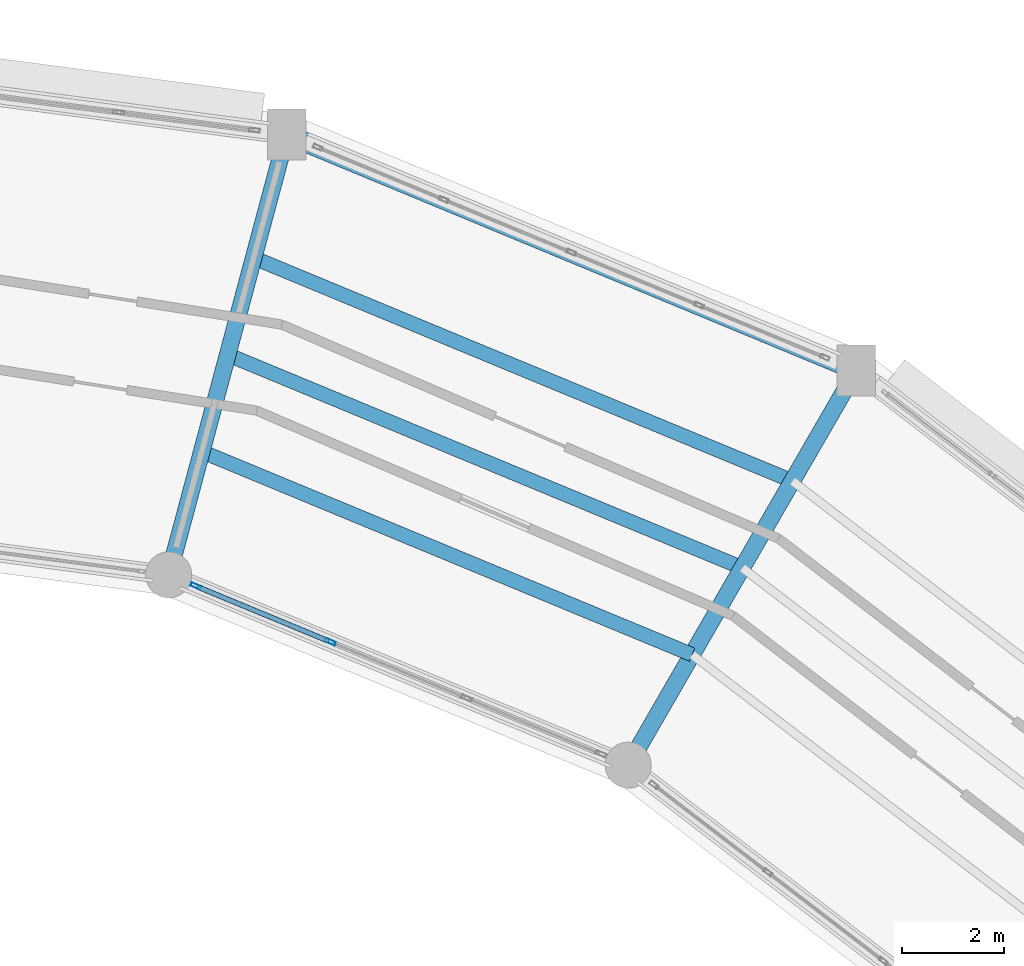
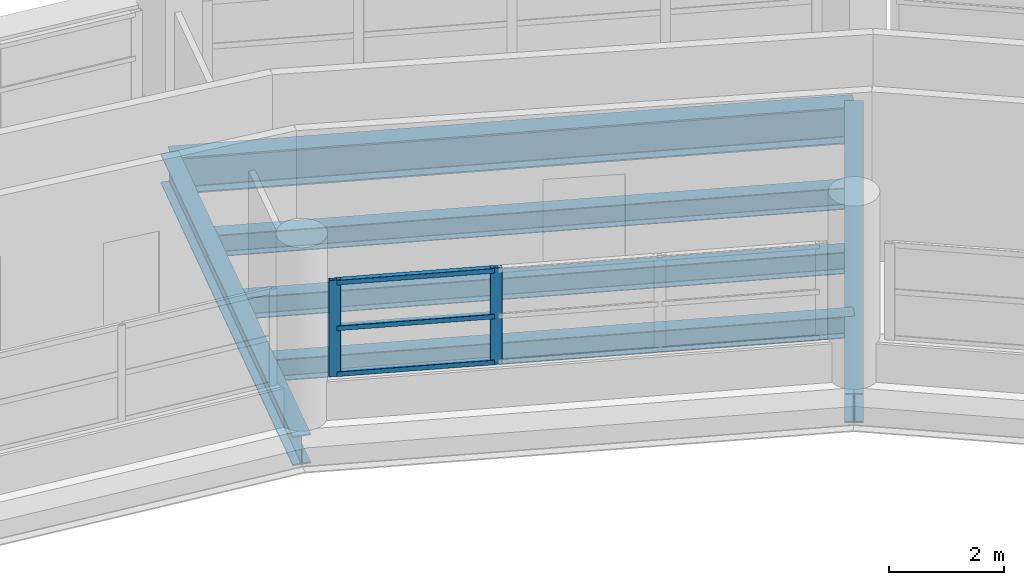
# One storey, part 77 of 108: 6 beams, 5 members, 1 element without a shape of its own.
"""IFC4 building model written with IfcOpenShell, lengths in metres."""

from ifc_helpers import new_model, si_unit, direction, frame, origin, origin_2d, place, context, subcontext, project, spatial, hollow_rectangle, i_section, extrude, material, layer, layer_set, material_profile, profile_set, type_object, element, aggregate, save


model = new_model("IFC4")

# Units and contexts
model_context = context("Model", 3, precision=1e-05, world=origin(), true_north=direction((0.0, 1.0)))
body_context = subcontext(model_context, "Body", "Model", "MODEL_VIEW")
ifc_project = project(units=[si_unit("LENGTHUNIT", "METRE"), si_unit("AREAUNIT", "SQUARE_METRE"), si_unit("VOLUMEUNIT", "CUBIC_METRE"), si_unit("PLANEANGLEUNIT", "RADIAN"), si_unit("MASSUNIT", "GRAM", prefix="KILO")], contexts=[model_context])

# Site, building, storey
site_placement = place(None, origin())
site = spatial("IfcSite", under=ifc_project, at=site_placement, CompositionType="ELEMENT")
building_placement = place(site_placement, origin())
building = spatial("IfcBuilding", under=site, at=building_placement, Name="Vespera Passage Community Centre", CompositionType="ELEMENT")
storey_placement = place(building_placement, frame((0.0, 0.0, 12.60009765625)))
storey = spatial("IfcBuildingStorey", under=building, at=storey_placement, Name="L03", CompositionType="ELEMENT", Elevation=12.60009765625)

# Beams
ifc_material_1 = material(Name="Steel ASTM A992 Grade 50", Category="steel")
ifc_material_profile_1 = material_profile(ifc_material_1, i_section(OverallWidth=0.32763671875, OverallDepth=0.62841796875, WebThickness=0.0166015625, FlangeThickness=0.027587890625, FilletRadius=0.0126953125, at=origin_2d()), Name="W24X146")
ifc_profile_set_1 = profile_set([ifc_material_profile_1], Name="Steel ASTM A992 Grade 50")
beam_type_1 = type_object("IfcBeamType", Name="BM-G-W24X146", PredefinedType="BEAM", material=ifc_profile_set_1)
for number, where, z_axis, x_axis, name in (
    (1, (96.60009765625, 97.716064453125, -0.71435546875), (0.499989191739, 0.866031643847, 0.0), (-0.866031643847, 0.499989191739, 0.0), "V4 L03 Radial Girder 4"),
    (2, (87.628173828125, 101.432373046875, -0.71435546875), (0.258811497245, 0.9659278487, 0.0), (-0.9659278487, 0.258811497245, 0.0), "V4 L03 Radial Girder 5"),
):
    element("IfcBeam", number, at=place(storey_placement, frame(where, z_axis=z_axis, x_axis=x_axis)), inside=storey, type_object=beam_type_1, Name=name, PredefinedType="BEAM", context=body_context, shape_type="SweptSolid", body=[
        extrude(i_section(OverallWidth=0.32763671875, OverallDepth=0.62841796875, WebThickness=0.0166015625, FlangeThickness=0.027587890625, FilletRadius=0.0126953125, at=origin_2d()), origin(), (0.0, 0.0, 1.0), 8.900146484375),
    ])
ifc_material_2 = material(Name="Steel ASTM A992 Grade 50", Category="steel")
ifc_material_profile_2 = material_profile(ifc_material_2, i_section(OverallWidth=0.280517578125, OverallDepth=0.46240234375, WebThickness=0.0107421875, FlangeThickness=0.017333984375, FilletRadius=0.01025390625, at=origin_2d()), Name="W18X76")
ifc_profile_set_2 = profile_set([ifc_material_profile_2], Name="Steel ASTM A992 Grade 50")
beam_type_2 = type_object("IfcBeamType", Name="BM-J-W18X76", PredefinedType="JOIST", material=ifc_profile_set_2)
beam_1_placement = place(storey_placement, frame((97.845947265625, 99.874267578125, -0.63134765625), z_axis=(-0.923873815861, 0.382697233288, 0.0), x_axis=(-0.382697233288, -0.923873815861, 0.0)))
element("IfcBeam", 3, at=beam_1_placement, inside=storey, type_object=beam_type_2, Name="V4 L03 Floor Joist 4.1", PredefinedType="JOIST", context=body_context, shape_type="SweptSolid", body=[
    extrude(i_section(OverallWidth=0.280517578125, OverallDepth=0.46240234375, WebThickness=0.0107421875, FlangeThickness=0.017333984375, FilletRadius=0.01025390625, at=origin_2d()), origin(), (0.0, 0.0, 1.0), 10.361572265625),
])
beam_2_placement = place(storey_placement, frame((98.824951171875, 101.570068359375, -0.63134765625), z_axis=(-0.923886018589, 0.382667773212, 0.0), x_axis=(-0.382667773212, -0.923886018589, 0.0)))
element("IfcBeam", 4, at=beam_2_placement, inside=storey, type_object=beam_type_2, Name="V4 L03 Floor Joist 4.2", PredefinedType="JOIST", context=body_context, shape_type="SweptSolid", body=[
    extrude(i_section(OverallWidth=0.280517578125, OverallDepth=0.46240234375, WebThickness=0.0107421875, FlangeThickness=0.017333984375, FilletRadius=0.01025390625, at=origin_2d()), origin(), (0.0, 0.0, 1.0), 10.872802734375),
])
beam_3_placement = place(storey_placement, frame((99.803955078125, 103.265625, -0.63134765625), z_axis=(-0.923878820173, 0.382685152097, 0.0), x_axis=(-0.382685152097, -0.923878820173, 0.0)))
element("IfcBeam", 5, at=beam_3_placement, inside=storey, type_object=beam_type_2, Name="V4 L03 Floor Joist 4.3", PredefinedType="JOIST", context=body_context, shape_type="SweptSolid", body=[
    extrude(i_section(OverallWidth=0.280517578125, OverallDepth=0.46240234375, WebThickness=0.0107421875, FlangeThickness=0.017333984375, FilletRadius=0.01025390625, at=origin_2d()), origin(), (0.0, 0.0, 1.0), 11.3837890625),
])
ifc_material_3 = material(Name="Steel ASTM A992 Grade 50", Category="steel")
ifc_material_profile_3 = material_profile(ifc_material_3, i_section(OverallWidth=0.382080078125, OverallDepth=0.779296875, WebThickness=0.01806640625, FlangeThickness=0.030029296875, FilletRadius=0.0166015625, at=origin_2d()), Name="W30X191")
ifc_profile_set_3 = profile_set([ifc_material_profile_3], Name="Steel ASTM A992 Grade 50")
beam_type_3 = type_object("IfcBeamType", Name="BM-SP-W30X191E", PredefinedType="SPANDREL", material=ifc_profile_set_3)
beam_4_placement = place(storey_placement, frame((101.050048828125, 105.423828125, -0.789794921875), z_axis=(-0.923877379647, 0.382688629799, 0.0), x_axis=(-0.382688629799, -0.923877379647, 0.0)))
element("IfcBeam", 6, at=beam_4_placement, inside=storey, type_object=beam_type_3, Name="V4 L03 Outer Spandrel 4", PredefinedType="SPANDREL", context=body_context, shape_type="SweptSolid", body=[
    extrude(i_section(OverallWidth=0.382080078125, OverallDepth=0.779296875, WebThickness=0.01806640625, FlangeThickness=0.030029296875, FilletRadius=0.0166015625, at=origin_2d()), origin(), (0.0, 0.0, 1.0), 12.034423828125),
])

# Curtain wall, members
ifc_material_4 = material(Name="Anodized aluminium 6063-T6", Category="aluminium")
ifc_layer = layer(ifc_material_4, 0.159912109375)
ifc_layer_set = layer_set([ifc_layer], Name="Anodized aluminium 6063-T6")
curtain_wall_type = type_object("IfcCurtainWallType", Name="CW-40E", PredefinedType="NOTDEFINED", material=ifc_layer_set)
curtain_wall_placement = place(storey_placement, origin())
curtain_wall = element("IfcCurtainWall", 7, at=curtain_wall_placement, inside=storey, type_object=curtain_wall_type, Name="V4 L03 Inner Court Curtain Wall 4", PredefinedType="NOTDEFINED")
ifc_material_5 = material(Name="Anodized aluminium 6063-T6", Category="aluminium")
ifc_material_profile_4 = material_profile(ifc_material_5, hollow_rectangle(XDim=0.074951171875, YDim=0.2099609375, WallThickness=0.0048828125, InnerFilletRadius=0.00244140625, OuterFilletRadius=0.0048828125, at=origin_2d()), Name="ALU210X75X5")
ifc_profile_set_4 = profile_set([ifc_material_profile_4], Name="Anodized aluminium 6063-T6")
member_type_1 = type_object("IfcMemberType", Name="MB-CWM-210E", PredefinedType="MULLION", material=ifc_profile_set_4)
member_1_placement = place(storey_placement, frame((90.784912109375, 100.124755859375, 0.81982421875), z_axis=(0.0, 0.0, 1.0), x_axis=(-0.382690463482, -0.923876620096, 0.0)))
member_1 = element("IfcMember", 8, at=member_1_placement, type_object=member_type_1, Name="CW-40E mullion 3", PredefinedType="MULLION", context=body_context, shape_type="SweptSolid", body=[
    extrude(hollow_rectangle(XDim=0.074951171875, YDim=0.2099609375, WallThickness=0.0048828125, InnerFilletRadius=0.00244140625, OuterFilletRadius=0.0048828125, at=origin_2d()), origin(), (0.0, 0.0, 1.0), 2.049560546875),
])
member_2_placement = place(storey_placement, frame((88.161376953125, 101.211669921875, 0.81982421875), z_axis=(0.0, 0.0, 1.0), x_axis=(-0.382690463482, -0.923876620096, 0.0)))
member_2 = element("IfcMember", 9, at=member_2_placement, type_object=member_type_1, Name="CW-40E mullion 4", PredefinedType="MULLION", context=body_context, shape_type="SweptSolid", body=[
    extrude(hollow_rectangle(XDim=0.074951171875, YDim=0.2099609375, WallThickness=0.0048828125, InnerFilletRadius=0.00244140625, OuterFilletRadius=0.0048828125, at=origin_2d()), origin(), (0.0, 0.0, 1.0), 2.049560546875),
])
ifc_material_6 = material(Name="Anodized aluminium 6063-T6", Category="aluminium")
ifc_material_profile_5 = material_profile(ifc_material_6, hollow_rectangle(XDim=0.10009765625, YDim=0.10009765625, WallThickness=0.00390625, InnerFilletRadius=0.001953125, OuterFilletRadius=0.00390625, at=origin_2d()), Name="ALU100X100X4")
ifc_profile_set_5 = profile_set([ifc_material_profile_5], Name="Anodized aluminium 6063-T6")
member_type_2 = type_object("IfcMemberType", Name="MB-CWT-100E", PredefinedType="USERDEFINED", material=ifc_profile_set_5)
member_3_placement = place(storey_placement, frame((90.750244140625, 100.13916015625, 0.869873046875), z_axis=(-0.923863992677, 0.382720946689, 0.0), x_axis=(-0.382720946689, -0.923863992677, 0.0)))
member_3 = element("IfcMember", 10, at=member_3_placement, type_object=member_type_2, Name="CW-40E transom 3.1", ObjectType="TRANSOM", PredefinedType="USERDEFINED", context=body_context, shape_type="SweptSolid", body=[
    extrude(hollow_rectangle(XDim=0.10009765625, YDim=0.10009765625, WallThickness=0.00390625, InnerFilletRadius=0.001953125, OuterFilletRadius=0.00390625, at=origin_2d()), origin(), (0.0, 0.0, 1.0), 2.7646484375),
])
member_4_placement = place(storey_placement, frame((90.750244140625, 100.13916015625, 1.844482421875), z_axis=(-0.923863992677, 0.382720946689, 0.0), x_axis=(-0.382720946689, -0.923863992677, 0.0)))
member_4 = element("IfcMember", 11, at=member_4_placement, type_object=member_type_2, Name="CW-40E transom 3.2", ObjectType="TRANSOM", PredefinedType="USERDEFINED", context=body_context, shape_type="SweptSolid", body=[
    extrude(hollow_rectangle(XDim=0.10009765625, YDim=0.10009765625, WallThickness=0.00390625, InnerFilletRadius=0.001953125, OuterFilletRadius=0.00390625, at=origin_2d()), origin(), (0.0, 0.0, 1.0), 2.7646484375),
])
member_5_placement = place(storey_placement, frame((90.750244140625, 100.13916015625, 2.8193359375), z_axis=(-0.923863992677, 0.382720946689, 0.0), x_axis=(-0.382720946689, -0.923863992677, 0.0)))
member_5 = element("IfcMember", 12, at=member_5_placement, type_object=member_type_2, Name="CW-40E transom 3.3", ObjectType="TRANSOM", PredefinedType="USERDEFINED", context=body_context, shape_type="SweptSolid", body=[
    extrude(hollow_rectangle(XDim=0.10009765625, YDim=0.10009765625, WallThickness=0.00390625, InnerFilletRadius=0.001953125, OuterFilletRadius=0.00390625, at=origin_2d()), origin(), (0.0, 0.0, 1.0), 2.7646484375),
])
aggregate(curtain_wall, [member_1, member_2, member_3, member_4, member_5])

save(model, "model.ifc")
